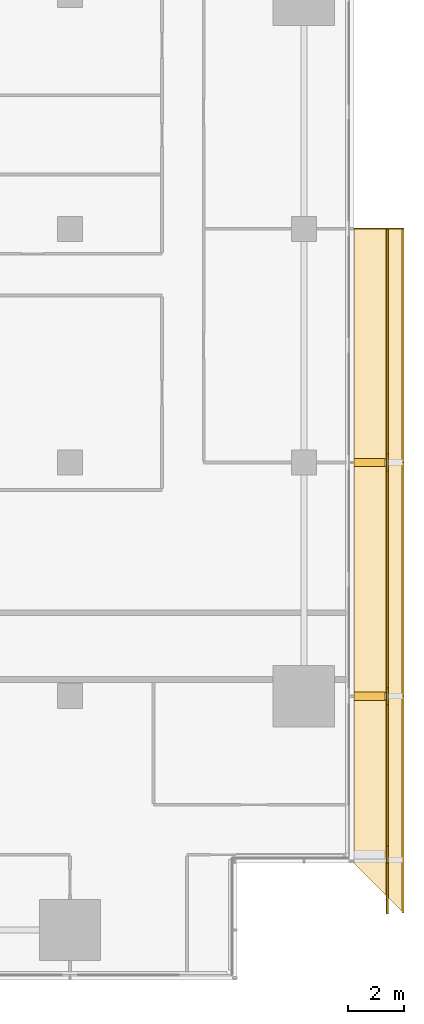
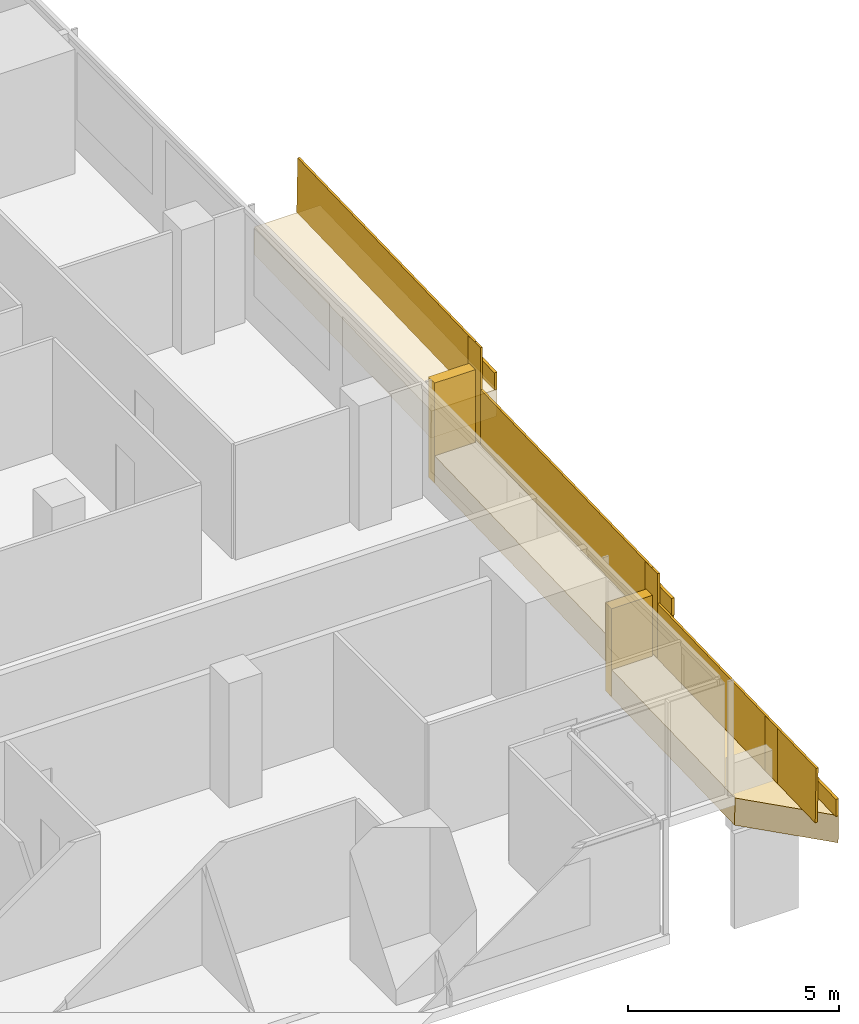
# One storey, part 25 of 25: 8 coverings, 6 railings.
"""IFC4 building model written with IfcOpenShell, lengths in metres."""

from ifc_helpers import new_model, si_unit, direction, frame, origin, origin_2d, place, context, subcontext, project, spatial, polyline, rectangle, outline, extrude, material, layer, layer_set, type_object, element, save


model = new_model("IFC4")

# Units and contexts
model_context = context("Model", 3, precision=1e-05, world=origin(), true_north=direction((0.0, 1.0)))
body_context = subcontext(model_context, "Body", "Model", "MODEL_VIEW")
ifc_project = project(units=[si_unit("LENGTHUNIT", "METRE"), si_unit("AREAUNIT", "SQUARE_METRE"), si_unit("VOLUMEUNIT", "CUBIC_METRE"), si_unit("PLANEANGLEUNIT", "RADIAN"), si_unit("MASSUNIT", "GRAM", prefix="KILO")], contexts=[model_context])

# Site, building, storey
site_placement = place(None, origin())
site = spatial("IfcSite", under=ifc_project, at=site_placement, CompositionType="ELEMENT")
building_placement = place(site_placement, origin())
building = spatial("IfcBuilding", under=site, at=building_placement, Name="Saffron Gate Tower", CompositionType="ELEMENT")
storey_placement = place(building_placement, frame((0.0, 0.0, 73.199951171875)))
storey = spatial("IfcBuildingStorey", under=building, at=storey_placement, Name="L17", CompositionType="ELEMENT", Elevation=73.199951171875)

# Coverings
ifc_material = material(Name="Timber, thermally modified ash", Category="wood")
ifc_layer_1 = layer(ifc_material, 0.800048828125)
ifc_layer_set_1 = layer_set([ifc_layer_1], Name="LD1 ledge timber")
covering_type_1 = type_object("IfcCoveringType", Name="LD1 ledge timber", PredefinedType="CLADDING", material=ifc_layer_set_1)
covering_1_placement = place(storey_placement, frame((127.199951171875, 34.199951171875, -0.07177734375), z_axis=(-2.391759e-05, -0.028789477025, 0.999585496814), x_axis=(1.72e-10, 0.9995854971, 0.028789477033)))
element("IfcCovering", 1, at=covering_1_placement, inside=storey, type_object=covering_type_1, Name="LEDGE", PredefinedType="CLADDING", context=body_context, shape_type="SweptSolid", body=[
    extrude(outline(polyline([(0.0, 0.0), (6.002489288687248, -8.470329472543003e-22), (6.002489288996045, -1.8000488276101398), (-1.800792782710612, -1.8000488299785034), (0.0, 0.0)])), origin(), (0.0, 0.0, -1.0), 0.800048828125),
])
covering_2_placement = place(storey_placement, frame((127.199951171875, 40.199951171875, 0.95849609375), z_axis=(0.0, -0.028790339263, 0.999585472266), x_axis=(0.0, 0.999585472266, 0.028790339263)))
element("IfcCovering", 2, at=covering_2_placement, inside=storey, type_object=covering_type_1, Name="LEDGE", PredefinedType="CLADDING", context=body_context, shape_type="SweptSolid", body=[
    extrude(outline(polyline([(0.0, 0.0), (8.403630022085892, 0.0), (8.403630022085892, -1.800048828125), (0.0, -1.800048828125), (0.0, 0.0)])), origin(), (0.0, 0.0, -1.0), 0.800048828125),
])
covering_3_placement = place(storey_placement, frame((127.199951171875, 48.60009765625, 2.40087890625), z_axis=(0.0, -0.028791175352, 0.999585448184), x_axis=(0.0, 0.999585448184, 0.028791175352)))
element("IfcCovering", 3, at=covering_3_placement, inside=storey, type_object=covering_type_1, Name="LEDGE", PredefinedType="CLADDING", context=body_context, shape_type="SweptSolid", body=[
    extrude(outline(polyline([(0.0, 0.0), (8.403385982666892, 0.0), (8.403385982666892, -1.800048828125), (0.0, -1.800048828125), (0.0, 0.0)])), origin(), (0.0, 0.0, -1.0), 0.800048828125),
])
ifc_layer_2 = layer(ifc_material, 0.080078125)
ifc_layer_set_2 = layer_set([ifc_layer_2], Name="LD2 ledge planter trough")
covering_type_2 = type_object("IfcCoveringType", Name="LD2 ledge planter trough", PredefinedType="CLADDING", material=ifc_layer_set_2)
covering_4_placement = place(storey_placement, frame((129.0, 32.39990234375, -0.12353515625), z_axis=(1.0, 0.0, 0.0), x_axis=(0.0, 0.999585655924, 0.028783962047)))
element("IfcCovering", 4, at=covering_4_placement, inside=storey, type_object=covering_type_2, Name="LEDGE planter trough", PredefinedType="CLADDING", context=body_context, shape_type="SweptSolid", body=[
    extrude(outline(polyline([(0.0, 0.0), (7.803282071825423, 2.7755575615628914e-17), (7.817674052849086, 0.4997928279619612), (0.014391981023662846, 0.4997928279619612), (0.0, 0.0)])), origin(), (0.0, 0.0, -1.0), 0.080078125),
])
covering_5_placement = place(storey_placement, frame((129.0, 40.199951171875, 0.95849609375), z_axis=(1.0, 0.0, 0.0), x_axis=(0.0, 0.999585472266, 0.028790339263)))
element("IfcCovering", 5, at=covering_5_placement, inside=storey, type_object=covering_type_2, Name="LEDGE planter trough", PredefinedType="CLADDING", context=body_context, shape_type="SweptSolid", body=[
    extrude(outline(polyline([(0.0, 0.0), (8.403630022085892, 0.0), (8.418025191717298, 0.4997927361329725), (0.014395169631405694, 0.4997927361329725), (0.0, 0.0)])), origin(), (0.0, 0.0, -1.0), 0.080078125),
])
covering_6_placement = place(storey_placement, frame((129.0, 48.60009765625, 2.40087890625), z_axis=(1.0, 0.0, 0.0), x_axis=(0.0, 0.999585448184, 0.028791175352)))
element("IfcCovering", 6, at=covering_6_placement, inside=storey, type_object=covering_type_2, Name="LEDGE planter trough", PredefinedType="CLADDING", context=body_context, shape_type="SweptSolid", body=[
    extrude(outline(polyline([(0.0, 0.0), (8.403385982666892, 0.0), (8.417781570342743, 0.49979272409216496), (0.014395587675851172, 0.4997927240921649), (0.0, 0.0)])), origin(), (0.0, 0.0, -1.0), 0.080078125),
])
ifc_layer_3 = layer(ifc_material, 0.300048828125)
ifc_layer_set_3 = layer_set([ifc_layer_3], Name="LD3 ledge riser fin")
covering_type_3 = type_object("IfcCoveringType", Name="LD3 ledge riser fin", PredefinedType="CLADDING", material=ifc_layer_set_3)
covering_7_placement = place(storey_placement, frame((127.760009765625, 40.199951171875, -0.69873046875), z_axis=(0.0, 0.0, 1.0), x_axis=(0.0, 1.0, 0.0)))
element("IfcCovering", 7, at=covering_7_placement, inside=storey, type_object=covering_type_3, Name="LEDGE riser fin", PredefinedType="CLADDING", context=body_context, shape_type="SweptSolid", body=[
    extrude(rectangle(XDim=0.300048828125, YDim=1.1201171875, at=origin_2d()), origin(), (0.0, 0.0, 1.0), 2.557373046875),
])
covering_8_placement = place(storey_placement, frame((127.760009765625, 48.60009765625, 0.400390625), z_axis=(0.0, 0.0, 1.0), x_axis=(0.0, 1.0, 0.0)))
element("IfcCovering", 8, at=covering_8_placement, inside=storey, type_object=covering_type_3, Name="LEDGE riser fin", PredefinedType="CLADDING", context=body_context, shape_type="SweptSolid", body=[
    extrude(rectangle(XDim=0.300048828125, YDim=1.1201171875, at=origin_2d()), origin(), (0.0, 0.0, 1.0), 2.900390625),
])

# Railings
railing_type = type_object("IfcRailingType", Name="LG1 ledge balustrade", PredefinedType="BALUSTRADE", material=ifc_material)
railing_1_placement = place(storey_placement, frame((128.39990234375, 32.39990234375, -0.12353515625)))
element("IfcRailing", 9, at=railing_1_placement, inside=storey, type_object=railing_type, Name="LEDGE BALUSTRADE", PredefinedType="BALUSTRADE", context=body_context, shape_type="SweptSolid", body=[
    extrude(rectangle(XDim=0.06005859375, YDim=1.60009765625, at=origin_2d()), frame((0.0, 0.0, 0.800048828125), z_axis=(0.0, 0.999585655924, 0.028783962047), x_axis=(-1.0, 0.0, 0.0)), (0.0, 0.0, 1.0), 7.80322265625),
])
railing_2_placement = place(storey_placement, frame((128.39990234375, 34.199951171875, -0.328857421875)))
element("IfcRailing", 10, at=railing_2_placement, inside=storey, type_object=railing_type, Name="LEDGE BALUSTRADE", PredefinedType="BALUSTRADE", context=body_context, shape_type="SweptSolid", body=[
    extrude(rectangle(XDim=0.06005859375, YDim=1.857177734375, at=origin_2d()), frame((0.0, 0.0, 0.9287109375), z_axis=(0.0, 1.0, 0.0), x_axis=(-1.0, 0.0, 0.0)), (0.0, 0.0, 1.0), 0.60009765625),
])
railing_3_placement = place(storey_placement, frame((128.39990234375, 40.199951171875, 0.95849609375)))
element("IfcRailing", 11, at=railing_3_placement, inside=storey, type_object=railing_type, Name="LEDGE BALUSTRADE", PredefinedType="BALUSTRADE", context=body_context, shape_type="SweptSolid", body=[
    extrude(rectangle(XDim=0.06005859375, YDim=1.60009765625, at=origin_2d()), frame((0.0, 0.0, 0.800048828125), z_axis=(0.0, 0.999585472266, 0.028790339263), x_axis=(-1.0, 0.0, 0.0)), (0.0, 0.0, 1.0), 8.403564453125),
])
railing_4_placement = place(storey_placement, frame((128.39990234375, 39.89990234375, 0.10107421875)))
element("IfcRailing", 12, at=railing_4_placement, inside=storey, type_object=railing_type, Name="LEDGE BALUSTRADE", PredefinedType="BALUSTRADE", context=body_context, shape_type="SweptSolid", body=[
    extrude(rectangle(XDim=0.06005859375, YDim=2.45751953125, at=origin_2d()), frame((0.0, 0.0, 1.228759765625), z_axis=(0.0, 1.0, 0.0), x_axis=(-1.0, 0.0, 0.0)), (0.0, 0.0, 1.0), 0.60009765625),
])
railing_5_placement = place(storey_placement, frame((128.39990234375, 48.60009765625, 2.40087890625)))
element("IfcRailing", 13, at=railing_5_placement, inside=storey, type_object=railing_type, Name="LEDGE BALUSTRADE", PredefinedType="BALUSTRADE", context=body_context, shape_type="SweptSolid", body=[
    extrude(rectangle(XDim=0.06005859375, YDim=1.60009765625, at=origin_2d()), frame((0.0, 0.0, 0.800048828125), z_axis=(0.0, 0.999585448184, 0.028791175352), x_axis=(-1.0, 0.0, 0.0)), (0.0, 0.0, 1.0), 8.4033203125),
])
railing_6_placement = place(storey_placement, frame((128.39990234375, 48.300048828125, 1.200439453125)))
element("IfcRailing", 14, at=railing_6_placement, inside=storey, type_object=railing_type, Name="LEDGE BALUSTRADE", PredefinedType="BALUSTRADE", context=body_context, shape_type="SweptSolid", body=[
    extrude(rectangle(XDim=0.06005859375, YDim=2.80029296875, at=origin_2d()), frame((0.0, 0.0, 1.400146484375), z_axis=(0.0, 1.0, 0.0), x_axis=(-1.0, 0.0, 0.0)), (0.0, 0.0, 1.0), 0.599853515625),
])

save(model, "model.ifc")
